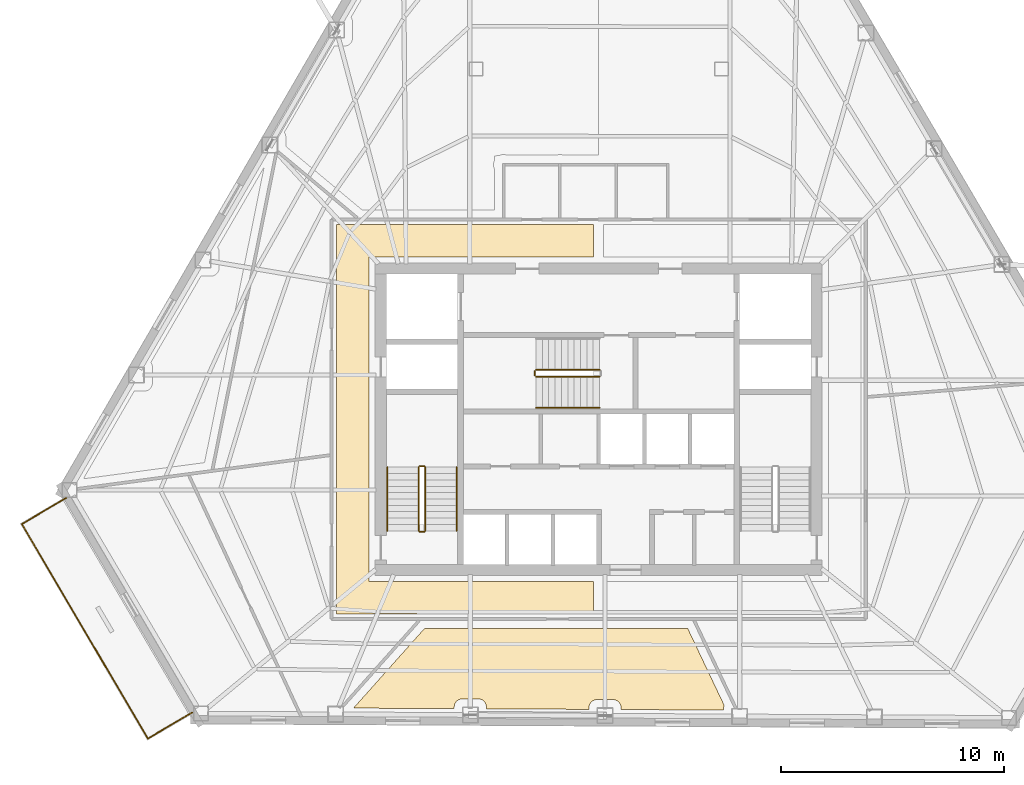
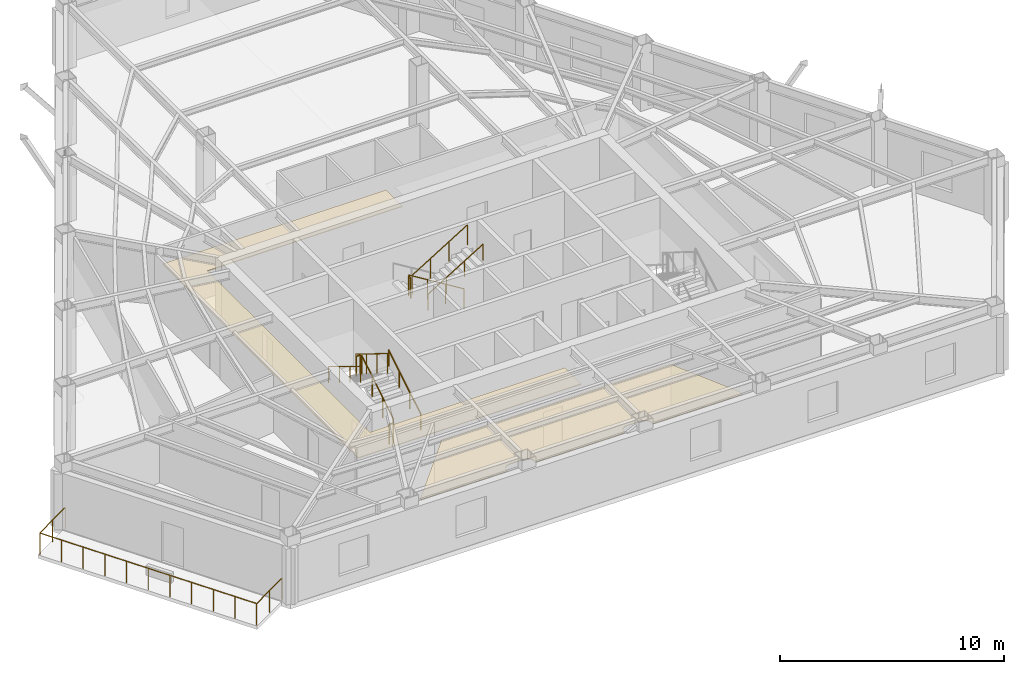
# One storey, part 10 of 13: 13 railings, 2 coverings.
"""IFC4 building model written with IfcOpenShell, lengths in metres."""

import ifcopenshell
import ifcopenshell.guid

model = None  # the IFC model being written
_history = None  # IfcOwnerHistory: only IFC2X3 demands one
_inside = {}  # id of a spatial element -> (the spatial element, [elements in it])
_under = {}  # id of a project, library or spatial element -> (it, [spatial elements below it])
_declared = {}  # id of a project -> (the project, [libraries it declares])
_typed = {}  # id of a type object -> (the type object, [elements of that type])
_made_of = {}  # id of a material, layer set ... -> (it, [elements and type objects made of it])


def new_model(schema):
    """Start an empty IFC model of exactly this schema.

    Asked for "IFC4X3", IfcOpenShell would pick the latest addendum, in which some entities
    have other attributes; the version numbers below select the first issue.
    IFC2X3 requires an IfcOwnerHistory on every rooted entity: one is made here for all.
    """
    global model, _history
    if schema == "IFC4X3":
        model = ifcopenshell.file(schema_version=(4, 3, 0, 0))
    else:
        model = ifcopenshell.file(schema=schema)
    _inside.clear()
    _under.clear()
    _declared.clear()
    _typed.clear()
    _made_of.clear()
    _history = None
    if model.schema == "IFC2X3":
        org = make("IfcOrganization", Name="unknown")
        user = make(
            "IfcPersonAndOrganization",
            ThePerson=make("IfcPerson", FamilyName="unknown"),
            TheOrganization=org,
        )
        app = make(
            "IfcApplication",
            ApplicationDeveloper=org,
            Version="unknown",
            ApplicationFullName="unknown",
            ApplicationIdentifier="unknown",
        )
        _history = make(
            "IfcOwnerHistory",
            OwningUser=user,
            OwningApplication=app,
            ChangeAction="ADDED",
            CreationDate=0,
        )
    return model


def make(cls, **values):
    """One entity of the class cls with the attributes given. An attribute that is None is left unset."""
    return model.create_entity(
        cls, **{name: value for name, value in values.items() if value is not None}
    )


def rooted(cls, **values):
    """An entity with a GlobalId (a new one), such as an element, a storey or a relation."""
    return make(cls, GlobalId=ifcopenshell.guid.new(), OwnerHistory=_history, **values)


def si_unit(unit_type, name, prefix=None):
    """IfcSIUnit, for example si_unit("LENGTHUNIT", "METRE", prefix="MILLI")."""
    return make("IfcSIUnit", UnitType=unit_type, Prefix=prefix, Name=name)


def assignment(units):
    """IfcUnitAssignment: the units of a project."""
    return None if units is None else make("IfcUnitAssignment", Units=units)


def point(xyz):
    """IfcCartesianPoint."""
    return None if xyz is None else make("IfcCartesianPoint", Coordinates=xyz)


def direction(xyz):
    """IfcDirection."""
    return None if xyz is None else make("IfcDirection", DirectionRatios=xyz)


def frame(location, z_axis=None, x_axis=None):
    """IfcAxis2Placement3D, a coordinate frame: its origin and axes. An axis left out is left unset."""
    return make(
        "IfcAxis2Placement3D",
        Location=point(location),
        Axis=direction(z_axis),
        RefDirection=direction(x_axis),
    )


def frame_2d(location, x_axis=None):
    """IfcAxis2Placement2D, a coordinate frame in the plane: its origin and x axis."""
    return make(
        "IfcAxis2Placement2D", Location=point(location), RefDirection=direction(x_axis)
    )


def origin():
    """The frame at (0, 0, 0) with its axes left unset."""
    return frame((0.0, 0.0, 0.0))


def origin_2d():
    """The frame at (0, 0) in the plane with its x axis left unset."""
    return frame_2d((0.0, 0.0))


def place(relative_to, where):
    """IfcLocalPlacement: puts the frame where relative to a parent placement (None: the world)."""
    return make(
        "IfcLocalPlacement", PlacementRelTo=relative_to, RelativePlacement=where
    )


def context(
    kind, dimensions, precision=None, world=None, true_north=None, identifier=None
):
    """IfcGeometricRepresentationContext, for example the 3D "Model" context."""
    return make(
        "IfcGeometricRepresentationContext",
        ContextIdentifier=identifier,
        ContextType=kind,
        CoordinateSpaceDimension=dimensions,
        Precision=precision,
        WorldCoordinateSystem=world,
        TrueNorth=true_north,
    )


def subcontext(parent, identifier, kind, view, scale=None):
    """IfcGeometricRepresentationSubContext, for example "Body" below "Model"."""
    return make(
        "IfcGeometricRepresentationSubContext",
        ContextIdentifier=identifier,
        ContextType=kind,
        ParentContext=parent,
        TargetScale=scale,
        TargetView=view,
    )


def project(units=None, contexts=None):
    """IfcProject with its units and contexts."""
    return rooted(
        "IfcProject",
        Name="project",
        RepresentationContexts=contexts,
        UnitsInContext=assignment(units),
    )


def spatial(cls, under=None, at=None, **own):
    """A site, building, storey or space (cls), placed at a placement, below another one or the project."""
    s = rooted(cls, ObjectPlacement=at, **own)
    if under is not None:
        _under.setdefault(under.id(), (under, []))[1].append(s)
    return s


def polyline(points):
    """IfcPolyline through the points."""
    return make("IfcPolyline", Points=[point(p) for p in points])


def profile(cls, at=None, kind="AREA", **sizes):
    """A parametric profile (cls). Its sizes go by their IFC names, for example OverallWidth=200.0."""
    return make(cls, ProfileType=kind, Position=at, **sizes)


def circle(**sizes):
    """IfcCircleProfileDef."""
    return profile("IfcCircleProfileDef", **sizes)


def outline(outer, holes=None, kind="AREA"):
    """IfcArbitraryClosedProfileDef: a profile drawn as a closed curve; with holes, ...WithVoids."""
    if holes is None:
        return make("IfcArbitraryClosedProfileDef", ProfileType=kind, OuterCurve=outer)
    return make(
        "IfcArbitraryProfileDefWithVoids",
        ProfileType=kind,
        OuterCurve=outer,
        InnerCurves=holes,
    )


def extrude(swept, where, along, depth):
    """IfcExtrudedAreaSolid: the profile swept, set in the frame where, extruded along a direction by depth."""
    return make(
        "IfcExtrudedAreaSolid",
        SweptArea=swept,
        Position=where,
        ExtrudedDirection=direction(along),
        Depth=depth,
    )


def shape(context_of_items, identifier, shape_type, items):
    """IfcShapeRepresentation: the items that make up one representation, for example the "Body"."""
    return make(
        "IfcShapeRepresentation",
        ContextOfItems=context_of_items,
        RepresentationIdentifier=identifier,
        RepresentationType=shape_type,
        Items=items,
    )


def material(Name=None, Category=None):
    """IfcMaterial."""
    return make("IfcMaterial", Name=Name, Category=Category)


def layer(
    of_material, thickness, ventilated=None, Name=None, Category=None, Priority=None
):
    """IfcMaterialLayer: one layer of a wall or slab, of a material (None: an air gap)."""
    return make(
        "IfcMaterialLayer",
        Material=of_material,
        LayerThickness=thickness,
        IsVentilated=ventilated,
        Name=Name,
        Category=Category,
        Priority=Priority,
    )


def layer_set(layers, Name=None):
    """IfcMaterialLayerSet."""
    return make("IfcMaterialLayerSet", MaterialLayers=layers, LayerSetName=Name)


def made_of(thing, what):
    """Note that an element or type object is made of a material, layer set ...; save() writes the relation."""
    if what is not None:
        _made_of.setdefault(what.id(), (what, []))[1].append(thing)
    return thing


def type_object(cls, material=None, **own):
    """A type object (cls), such as IfcWallType, which elements share."""
    return made_of(rooted(cls, **own), material)


def element(
    cls,
    number,
    at=None,
    inside=None,
    cuts=None,
    type_object=None,
    material=None,
    context=None,
    identifier="Body",
    shape_type=None,
    held_by="IfcProductDefinitionShape",
    body=None,
    shapes=None,
    **own,
):
    """One element of the class cls, such as IfcWall. Its Tag is "e" and its number.

    at: its placement. inside: the storey or other place that contains it. cuts: it is an
    opening in that element (IfcRelVoidsElement). A single representation is given by context,
    identifier, shape_type and body (its items); several are given by shapes. held_by: the class
    of the entity that holds the representations. save() writes the other relations.
    """
    e = rooted(cls, Tag="e%d" % number, ObjectPlacement=at, **own)
    if body is not None:
        shapes = [shape(context, identifier, shape_type, body)]
    if shapes is not None:
        e.Representation = make(held_by, Representations=shapes)
    if inside is not None:
        _inside.setdefault(inside.id(), (inside, []))[1].append(e)
    if cuts is not None:
        rooted(
            "IfcRelVoidsElement", RelatingBuildingElement=cuts, RelatedOpeningElement=e
        )
    if type_object is not None:
        _typed.setdefault(type_object.id(), (type_object, []))[1].append(e)
    return made_of(e, material)


def aggregate(whole, parts):
    """IfcRelAggregates: a whole, such as a stair, and the parts it consists of."""
    return rooted("IfcRelAggregates", RelatingObject=whole, RelatedObjects=parts)


def save(model, path):
    """Write the relations noted so far, then the file.

    IfcRelAggregates (storeys below a building ...), IfcRelContainedInSpatialStructure (elements
    in a storey), IfcRelDefinesByType, IfcRelAssociatesMaterial and IfcRelDeclares: one each for
    every whole, place, type object, material and project.
    """
    for whole, parts in _under.values():
        aggregate(whole, parts)
    for where, things in _inside.values():
        rooted(
            "IfcRelContainedInSpatialStructure",
            RelatedElements=things,
            RelatingStructure=where,
        )
    for kind, things in _typed.values():
        rooted("IfcRelDefinesByType", RelatedObjects=things, RelatingType=kind)
    for what, things in _made_of.values():
        rooted("IfcRelAssociatesMaterial", RelatedObjects=things, RelatingMaterial=what)
    for by, libraries in _declared.values():
        rooted("IfcRelDeclares", RelatingContext=by, RelatedDefinitions=libraries)
    model.write(path)


model = new_model("IFC4")

# Units and contexts
model_context = context("Model", 3, precision=1e-05, world=origin(), true_north=direction((0.0, 1.0)))
body_context = subcontext(model_context, "Body", "Model", "MODEL_VIEW")
ifc_project = project(units=[si_unit("LENGTHUNIT", "METRE"), si_unit("AREAUNIT", "SQUARE_METRE"), si_unit("VOLUMEUNIT", "CUBIC_METRE"), si_unit("PLANEANGLEUNIT", "RADIAN"), si_unit("MASSUNIT", "GRAM", prefix="KILO")], contexts=[model_context])

# Site, building, storey
site_placement = place(None, origin())
site = spatial("IfcSite", under=ifc_project, at=site_placement, CompositionType="ELEMENT")
building_placement = place(site_placement, origin())
building = spatial("IfcBuilding", under=site, at=building_placement, Name="Kavelnor Concourse Tower", CompositionType="ELEMENT")
storey_placement = place(building_placement, frame((0.0, 0.0, 124.0)))
storey = spatial("IfcBuildingStorey", under=building, at=storey_placement, Name="L31", CompositionType="ELEMENT", Elevation=124.0)

# Coverings
ifc_material_1 = material(Name="Mineral fibre acoustic ceiling tile")
ifc_layer = layer(ifc_material_1, 0.0400390625, Name="Mineral fibre acoustic ceiling tile")
ifc_layer_set = layer_set([ifc_layer], Name="Mineral fibre acoustic ceiling tile")
covering_type = type_object("IfcCoveringType", Name="COV-CEILING-ACOUSTIC", PredefinedType="CEILING", material=ifc_layer_set)
covering_1_placement = place(storey_placement, frame((0.0, 0.0, 2.75)))
element("IfcCovering", 1, at=covering_1_placement, inside=storey, type_object=covering_type, Name="L31 Suspended Acoustic Ceiling", PredefinedType="CEILING", context=body_context, shape_type="SweptSolid", body=[
    extrude(outline(polyline([(26.25, 7.3701171875), (26.25, 24.830078125), (37.77490234375, 24.830078125), (37.77490234375, 23.3701171875), (27.7099609375, 23.3701171875), (27.7099609375, 8.830078125), (37.77490234375, 8.830078125), (37.77490234375, 7.3701171875), (26.25, 7.3701171875)])), origin(), (0.0, 0.0, 1.0), 0.0400390625),
])
covering_2_placement = place(storey_placement, frame((0.0, 0.0, 2.75)))
element("IfcCovering", 2, at=covering_2_placement, inside=storey, type_object=covering_type, Name="L31 Suspended Acoustic Ceiling", PredefinedType="CEILING", context=body_context, shape_type="SweptSolid", body=[
    extrude(outline(polyline([(30.1982421875, 6.7275390625), (41.98828125, 6.7275390625), (43.62646484375, 3.27587890625), (43.61572265625, 3.24560546875), (43.607177734375, 3.21142578125), (43.601806640625, 3.176513671875), (43.6005859375, 3.1494140625), (43.6005859375, 3.06494140625), (39.00341796875, 3.089599609375), (39.00341796875, 3.181640625), (39.002197265625, 3.208740234375), (38.9970703125, 3.24365234375), (38.98828125, 3.278076171875), (38.9765625, 3.311279296875), (38.96142578125, 3.34326171875), (38.943115234375, 3.37353515625), (38.922119140625, 3.402099609375), (38.898193359375, 3.42822265625), (38.8720703125, 3.451904296875), (38.84375, 3.47314453125), (38.8134765625, 3.4912109375), (38.781494140625, 3.50634765625), (38.748046875, 3.518310546875), (38.7138671875, 3.52685546875), (38.6787109375, 3.531982421875), (38.65185546875, 3.533447265625), (37.915283203125, 3.533447265625), (37.88818359375, 3.531982421875), (37.853271484375, 3.52685546875), (37.81884765625, 3.518310546875), (37.78564453125, 3.50634765625), (37.753662109375, 3.4912109375), (37.723388671875, 3.47314453125), (37.69482421875, 3.451904296875), (37.668701171875, 3.42822265625), (37.64501953125, 3.402099609375), (37.623779296875, 3.37353515625), (37.605712890625, 3.34326171875), (37.590576171875, 3.311279296875), (37.57861328125, 3.278076171875), (37.570068359375, 3.24365234375), (37.564697265625, 3.208740234375), (37.5634765625, 3.181640625), (37.5634765625, 3.097412109375), (32.966552734375, 3.121826171875), (32.966552734375, 3.214111328125), (32.965087890625, 3.240966796875), (32.9599609375, 3.27587890625), (32.951416015625, 3.310302734375), (32.939453125, 3.343505859375), (32.92431640625, 3.37548828125), (32.90625, 3.406005859375), (32.885009765625, 3.434326171875), (32.861328125, 3.46044921875), (32.835205078125, 3.484375), (32.806640625, 3.50537109375), (32.7763671875, 3.523681640625), (32.744384765625, 3.538818359375), (32.711181640625, 3.550537109375), (32.6767578125, 3.55908203125), (32.641845703125, 3.564453125), (32.61474609375, 3.565673828125), (31.878173828125, 3.565673828125), (31.851318359375, 3.564453125), (31.816162109375, 3.55908203125), (31.781982421875, 3.550537109375), (31.74853515625, 3.538818359375), (31.716552734375, 3.523681640625), (31.686279296875, 3.50537109375), (31.657958984375, 3.484375), (31.631591796875, 3.46044921875), (31.60791015625, 3.434326171875), (31.5869140625, 3.406005859375), (31.568603515625, 3.37548828125), (31.553466796875, 3.343505859375), (31.54150390625, 3.310302734375), (31.532958984375, 3.27587890625), (31.52783203125, 3.240966796875), (31.526611328125, 3.214111328125), (31.526611328125, 3.129638671875), (27.011474609375, 3.15380859375), (30.1982421875, 6.7275390625)])), origin(), (0.0, 0.0, 1.0), 0.0400390625),
])

# Railings
ifc_material_2 = material(Name="Steel Grade 350", Category="steel")
railing_type_1 = type_object("IfcRailingType", Name="RLG-GUARD-1100", PredefinedType="GUARDRAIL", material=ifc_material_2)
railing_1_placement = place(storey_placement, frame((30.22998046875, 11.10009765625, 0.175048828125)))
element("IfcRailing", 3, at=railing_1_placement, inside=storey, type_object=railing_type_1, Name="L31 ST1 stair guard 1", PredefinedType="GUARDRAIL", context=body_context, shape_type="SweptSolid", body=[
    extrude(circle(Radius=0.02392578125, at=origin_2d()), frame((0.0, 0.0, 1.076171875), z_axis=(0.0, 0.852159232446, 0.523282564737), x_axis=(-1.0, 0.0, 0.0)), (0.0, 0.0, 1.0), 3.34423828125),
    extrude(circle(Radius=0.02099609375, at=origin_2d()), origin(), (0.0, 0.0, 1.0), 1.052001953125),
    extrude(circle(Radius=0.02099609375, at=origin_2d()), frame((0.0, 0.949951171875, 0.583251953125)), (0.0, 0.0, 1.0), 1.052001953125),
    extrude(circle(Radius=0.02099609375, at=origin_2d()), frame((0.0, 1.89990234375, 1.166748046875)), (0.0, 0.0, 1.0), 1.052001953125),
    extrude(circle(Radius=0.02099609375, at=origin_2d()), frame((0.0, 2.849853515625, 1.75)), (0.0, 0.0, 1.0), 1.052001953125),
])
railing_2_placement = place(storey_placement, frame((30.179931640625, 14.0, 1.925048828125)))
element("IfcRailing", 4, at=railing_2_placement, inside=storey, type_object=railing_type_1, Name="L31 ST1 stair guard 2", PredefinedType="GUARDRAIL", context=body_context, shape_type="SweptSolid", body=[
    extrude(circle(Radius=0.02392578125, at=origin_2d()), frame((0.0, 0.0, 1.076171875), z_axis=(-1.0, 0.0, 0.0), x_axis=(0.0, -1.0, 0.0)), (0.0, 0.0, 1.0), 0.199951171875),
    extrude(circle(Radius=0.02099609375, at=origin_2d()), origin(), (0.0, 0.0, 1.0), 1.052001953125),
    extrude(circle(Radius=0.02099609375, at=origin_2d()), frame((-0.199951171875, 0.0, 0.0)), (0.0, 0.0, 1.0), 1.052001953125),
])
railing_3_placement = place(storey_placement, frame((29.929931640625, 13.949951171875, 2.10009765625)))
element("IfcRailing", 5, at=railing_3_placement, inside=storey, type_object=railing_type_1, Name="L31 ST1 stair guard 3", PredefinedType="GUARDRAIL", context=body_context, shape_type="SweptSolid", body=[
    extrude(circle(Radius=0.02392578125, at=origin_2d()), frame((0.0, 0.0, 1.076171875), z_axis=(0.0, -0.852159232446, 0.523282564737), x_axis=(1.0, 0.0, 0.0)), (0.0, 0.0, 1.0), 3.34423828125),
    extrude(circle(Radius=0.02099609375, at=origin_2d()), origin(), (0.0, 0.0, 1.0), 1.052001953125),
    extrude(circle(Radius=0.02099609375, at=origin_2d()), frame((0.0, -0.949951171875, 0.583251953125)), (0.0, 0.0, 1.0), 1.052001953125),
    extrude(circle(Radius=0.02099609375, at=origin_2d()), frame((0.0, -1.89990234375, 1.166748046875)), (0.0, 0.0, 1.0), 1.052001953125),
    extrude(circle(Radius=0.02099609375, at=origin_2d()), frame((0.0, -2.849853515625, 1.75)), (0.0, 0.0, 1.0), 1.052001953125),
])
railing_4_placement = place(storey_placement, frame((30.179931640625, 11.050048828125, 0.0)))
element("IfcRailing", 6, at=railing_4_placement, inside=storey, type_object=railing_type_1, Name="L31 ST1 stair guard 4", PredefinedType="GUARDRAIL", context=body_context, shape_type="SweptSolid", body=[
    extrude(circle(Radius=0.02392578125, at=origin_2d()), frame((0.0, 0.0, 1.076171875), z_axis=(-1.0, 0.0, 0.0), x_axis=(0.0, -1.0, 0.0)), (0.0, 0.0, 1.0), 0.199951171875),
    extrude(circle(Radius=0.02099609375, at=origin_2d()), origin(), (0.0, 0.0, 1.0), 1.052001953125),
    extrude(circle(Radius=0.02099609375, at=origin_2d()), frame((-0.199951171875, 0.0, 0.0)), (0.0, 0.0, 1.0), 1.052001953125),
])
railing_5_placement = place(storey_placement, frame((38.0400390625, 18.31005859375, 0.175048828125)))
element("IfcRailing", 7, at=railing_5_placement, inside=storey, type_object=railing_type_1, Name="L31 ST3 stair guard 1", PredefinedType="GUARDRAIL", context=body_context, shape_type="SweptSolid", body=[
    extrude(circle(Radius=0.02392578125, at=origin_2d()), frame((0.0, 0.0, 1.076171875), z_axis=(-0.852179220489, 0.0, 0.52325001306), x_axis=(0.0, -1.0, 0.0)), (0.0, 0.0, 1.0), 3.344482421875),
    extrude(circle(Radius=0.02099609375, at=origin_2d()), origin(), (0.0, 0.0, 1.0), 1.052001953125),
    extrude(circle(Radius=0.02099609375, at=origin_2d()), frame((-0.949951171875, 0.0, 0.583251953125)), (0.0, 0.0, 1.0), 1.052001953125),
    extrude(circle(Radius=0.02099609375, at=origin_2d()), frame((-1.900146484375, 0.0, 1.166748046875)), (0.0, 0.0, 1.0), 1.052001953125),
    extrude(circle(Radius=0.02099609375, at=origin_2d()), frame((-2.85009765625, 0.0, 1.75)), (0.0, 0.0, 1.0), 1.052001953125),
])
railing_6_placement = place(storey_placement, frame((35.139892578125, 18.260009765625, 1.925048828125)))
element("IfcRailing", 8, at=railing_6_placement, inside=storey, type_object=railing_type_1, Name="L31 ST3 stair guard 2", PredefinedType="GUARDRAIL", context=body_context, shape_type="SweptSolid", body=[
    extrude(circle(Radius=0.02392578125, at=origin_2d()), frame((0.0, 0.0, 1.076171875), z_axis=(0.0, -1.0, 0.0), x_axis=(1.0, 0.0, 0.0)), (0.0, 0.0, 1.0), 0.199951171875),
    extrude(circle(Radius=0.02099609375, at=origin_2d()), origin(), (0.0, 0.0, 1.0), 1.052001953125),
    extrude(circle(Radius=0.02099609375, at=origin_2d()), frame((0.0, -0.199951171875, 0.0)), (0.0, 0.0, 1.0), 1.052001953125),
])
railing_7_placement = place(storey_placement, frame((35.18994140625, 18.010009765625, 2.10009765625)))
element("IfcRailing", 9, at=railing_7_placement, inside=storey, type_object=railing_type_1, Name="L31 ST3 stair guard 3", PredefinedType="GUARDRAIL", context=body_context, shape_type="SweptSolid", body=[
    extrude(circle(Radius=0.02392578125, at=origin_2d()), frame((0.0, 0.0, 1.076171875), z_axis=(0.852179220489, 0.0, 0.52325001306), x_axis=(0.0, 1.0, 0.0)), (0.0, 0.0, 1.0), 3.344482421875),
    extrude(circle(Radius=0.02099609375, at=origin_2d()), origin(), (0.0, 0.0, 1.0), 1.052001953125),
    extrude(circle(Radius=0.02099609375, at=origin_2d()), frame((0.949951171875, 0.0, 0.583251953125)), (0.0, 0.0, 1.0), 1.052001953125),
    extrude(circle(Radius=0.02099609375, at=origin_2d()), frame((1.900146484375, 0.0, 1.166748046875)), (0.0, 0.0, 1.0), 1.052001953125),
    extrude(circle(Radius=0.02099609375, at=origin_2d()), frame((2.85009765625, 0.0, 1.75)), (0.0, 0.0, 1.0), 1.052001953125),
])
railing_type_2 = type_object("IfcRailingType", Name="RLG-HANDRAIL-900", PredefinedType="HANDRAIL", material=ifc_material_2)
railing_8_placement = place(storey_placement, frame((31.6298828125, 11.10009765625, 0.175048828125)))
element("IfcRailing", 10, at=railing_8_placement, inside=storey, type_object=railing_type_2, Name="L31 ST1 stair handrail 1", PredefinedType="HANDRAIL", context=body_context, shape_type="SweptSolid", body=[
    extrude(circle(Radius=0.02392578125, at=origin_2d()), frame((0.0, 0.0, 0.8759765625), z_axis=(0.0, 0.852159232446, 0.523282564737), x_axis=(-1.0, 0.0, 0.0)), (0.0, 0.0, 1.0), 3.34423828125),
    extrude(circle(Radius=0.02099609375, at=origin_2d()), origin(), (0.0, 0.0, 1.0), 0.851806640625),
    extrude(circle(Radius=0.02099609375, at=origin_2d()), frame((0.0, 0.949951171875, 0.583251953125)), (0.0, 0.0, 1.0), 0.851806640625),
    extrude(circle(Radius=0.02099609375, at=origin_2d()), frame((0.0, 1.89990234375, 1.166748046875)), (0.0, 0.0, 1.0), 0.851806640625),
    extrude(circle(Radius=0.02099609375, at=origin_2d()), frame((0.0, 2.849853515625, 1.75)), (0.0, 0.0, 1.0), 0.851806640625),
])
railing_9_placement = place(storey_placement, frame((28.530029296875, 13.949951171875, 2.10009765625)))
element("IfcRailing", 11, at=railing_9_placement, inside=storey, type_object=railing_type_2, Name="L31 ST1 stair handrail 2", PredefinedType="HANDRAIL", context=body_context, shape_type="SweptSolid", body=[
    extrude(circle(Radius=0.02392578125, at=origin_2d()), frame((0.0, 0.0, 0.8759765625), z_axis=(0.0, -0.852159232446, 0.523282564737), x_axis=(1.0, 0.0, 0.0)), (0.0, 0.0, 1.0), 3.34423828125),
    extrude(circle(Radius=0.02099609375, at=origin_2d()), origin(), (0.0, 0.0, 1.0), 0.851806640625),
    extrude(circle(Radius=0.02099609375, at=origin_2d()), frame((0.0, -0.949951171875, 0.583251953125)), (0.0, 0.0, 1.0), 0.851806640625),
    extrude(circle(Radius=0.02099609375, at=origin_2d()), frame((0.0, -1.89990234375, 1.166748046875)), (0.0, 0.0, 1.0), 0.851806640625),
    extrude(circle(Radius=0.02099609375, at=origin_2d()), frame((0.0, -2.849853515625, 1.75)), (0.0, 0.0, 1.0), 0.851806640625),
])
railing_10_placement = place(storey_placement, frame((35.18994140625, 16.610107421875, 2.10009765625)))
element("IfcRailing", 12, at=railing_10_placement, inside=storey, type_object=railing_type_2, Name="L31 ST3 stair handrail 2", PredefinedType="HANDRAIL", context=body_context, shape_type="SweptSolid", body=[
    extrude(circle(Radius=0.02392578125, at=origin_2d()), frame((0.0, 0.0, 0.8759765625), z_axis=(0.852179220489, 0.0, 0.52325001306), x_axis=(0.0, 1.0, 0.0)), (0.0, 0.0, 1.0), 3.344482421875),
    extrude(circle(Radius=0.02099609375, at=origin_2d()), origin(), (0.0, 0.0, 1.0), 0.851806640625),
    extrude(circle(Radius=0.02099609375, at=origin_2d()), frame((0.949951171875, 0.0, 0.583251953125)), (0.0, 0.0, 1.0), 0.851806640625),
    extrude(circle(Radius=0.02099609375, at=origin_2d()), frame((1.900146484375, 0.0, 1.166748046875)), (0.0, 0.0, 1.0), 0.851806640625),
    extrude(circle(Radius=0.02099609375, at=origin_2d()), frame((2.85009765625, 0.0, 1.75)), (0.0, 0.0, 1.0), 0.851806640625),
])
ifc_material_3 = material(Name="Architectural bronze-anodised aluminium", Category="aluminium")
railing_type_3 = type_object("IfcRailingType", Name="RLG-TERRACE-1200", PredefinedType="BALUSTRADE", material=ifc_material_3)
railing_11_placement = place(storey_placement, frame((14.130126953125, 12.569091796875, 0.0)))
element("IfcRailing", 13, at=railing_11_placement, inside=storey, type_object=railing_type_3, Name="L31 Spiral Terrace Guardrail L", PredefinedType="BALUSTRADE", context=body_context, shape_type="SweptSolid", body=[
    extrude(circle(Radius=0.02392578125, at=origin_2d()), frame((0.0, 0.0, 1.17578125), z_axis=(-0.862343243871, -0.506324135065, 0.0), x_axis=(0.506324135065, -0.862343243871, 0.0)), (0.0, 0.0, 1.0), 2.300048828125),
    extrude(circle(Radius=0.02099609375, at=origin_2d()), origin(), (0.0, 0.0, 1.0), 1.15185546875),
    extrude(circle(Radius=0.02099609375, at=origin_2d()), frame((-0.99169921875, -0.582275390625, 0.0)), (0.0, 0.0, 1.0), 1.15185546875),
    extrude(circle(Radius=0.02099609375, at=origin_2d()), frame((-1.9833984375, -1.16455078125, 0.0)), (0.0, 0.0, 1.0), 1.15185546875),
])
railing_12_placement = place(storey_placement, frame((12.146728515625, 11.404541015625, 0.0)))
element("IfcRailing", 14, at=railing_12_placement, inside=storey, type_object=railing_type_3, Name="L31 Spiral Terrace Guardrail F", PredefinedType="BALUSTRADE", context=body_context, shape_type="SweptSolid", body=[
    extrude(circle(Radius=0.02392578125, at=origin_2d()), frame((0.0, 0.0, 1.17578125), z_axis=(0.506336844207, -0.862335781583, 0.0), x_axis=(0.862335781583, 0.506336844207, 0.0)), (0.0, 0.0, 1.0), 11.151611328125),
    extrude(circle(Radius=0.02099609375, at=origin_2d()), origin(), (0.0, 0.0, 1.0), 1.15185546875),
    extrude(circle(Radius=0.02099609375, at=origin_2d()), frame((0.564697265625, -0.961669921875, 0.0)), (0.0, 0.0, 1.0), 1.15185546875),
    extrude(circle(Radius=0.02099609375, at=origin_2d()), frame((1.12939453125, -1.92333984375, 0.0)), (0.0, 0.0, 1.0), 1.15185546875),
    extrude(circle(Radius=0.02099609375, at=origin_2d()), frame((1.69384765625, -2.885009765625, 0.0)), (0.0, 0.0, 1.0), 1.15185546875),
    extrude(circle(Radius=0.02099609375, at=origin_2d()), frame((2.258544921875, -3.8466796875, 0.0)), (0.0, 0.0, 1.0), 1.15185546875),
    extrude(circle(Radius=0.02099609375, at=origin_2d()), frame((2.8232421875, -4.80810546875, 0.0)), (0.0, 0.0, 1.0), 1.15185546875),
    extrude(circle(Radius=0.02099609375, at=origin_2d()), frame((3.387939453125, -5.769775390625, 0.0)), (0.0, 0.0, 1.0), 1.15185546875),
    extrude(circle(Radius=0.02099609375, at=origin_2d()), frame((3.95263671875, -6.7314453125, 0.0)), (0.0, 0.0, 1.0), 1.15185546875),
    extrude(circle(Radius=0.02099609375, at=origin_2d()), frame((4.51708984375, -7.693115234375, 0.0)), (0.0, 0.0, 1.0), 1.15185546875),
    extrude(circle(Radius=0.02099609375, at=origin_2d()), frame((5.081787109375, -8.65478515625, 0.0)), (0.0, 0.0, 1.0), 1.15185546875),
    extrude(circle(Radius=0.02099609375, at=origin_2d()), frame((5.646484375, -9.616455078125, 0.0)), (0.0, 0.0, 1.0), 1.15185546875),
])
railing_13_placement = place(storey_placement, frame((17.793212890625, 1.7880859375, 0.0)))
element("IfcRailing", 15, at=railing_13_placement, inside=storey, type_object=railing_type_3, Name="L31 Spiral Terrace Guardrail R", PredefinedType="BALUSTRADE", context=body_context, shape_type="SweptSolid", body=[
    extrude(circle(Radius=0.02392578125, at=origin_2d()), frame((0.0, 0.0, 1.17578125), z_axis=(0.862343243871, 0.506324135065, 0.0), x_axis=(-0.506324135065, 0.862343243871, 0.0)), (0.0, 0.0, 1.0), 2.300048828125),
    extrude(circle(Radius=0.02099609375, at=origin_2d()), origin(), (0.0, 0.0, 1.0), 1.15185546875),
    extrude(circle(Radius=0.02099609375, at=origin_2d()), frame((0.99169921875, 0.582275390625, 0.0)), (0.0, 0.0, 1.0), 1.15185546875),
    extrude(circle(Radius=0.02099609375, at=origin_2d()), frame((1.9833984375, 1.16455078125, 0.0)), (0.0, 0.0, 1.0), 1.15185546875),
])

save(model, "model.ifc")
